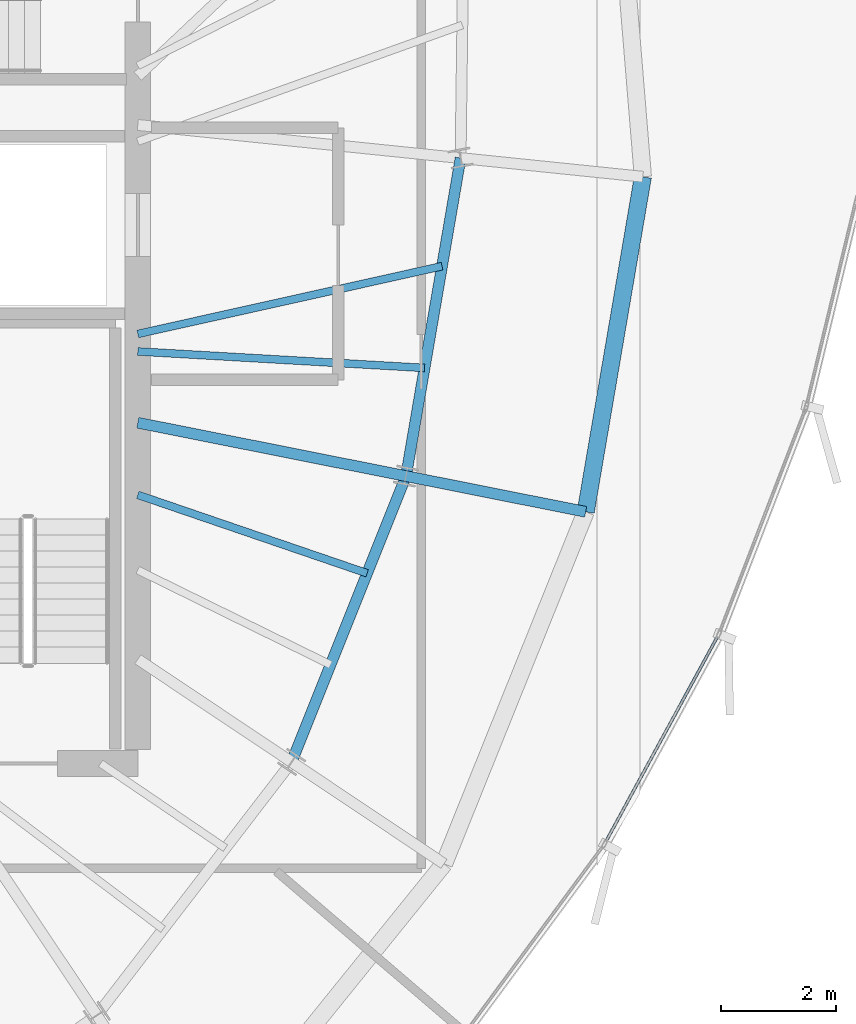
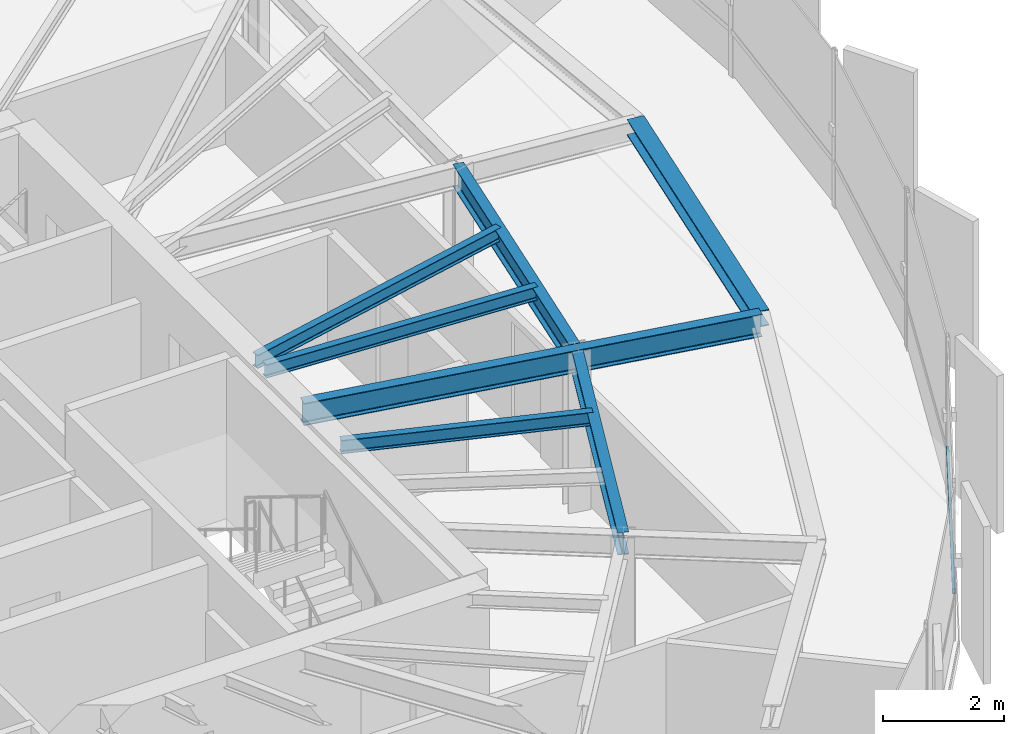
# One storey, part 14 of 33: 8 beams, 1 member, 1 element without a shape of its own.
"""IFC4 building model written with IfcOpenShell, lengths in metres."""

from ifc_helpers import new_model, si_unit, direction, frame, origin, origin_2d, place, context, subcontext, project, spatial, hollow_rectangle, i_section, extrude, source, transform, mapped, material, layer, layer_set, material_profile, profile_set, type_object, element, aggregate, save


model = new_model("IFC4")

# Units and contexts
model_context = context("Model", 3, precision=1e-05, world=origin(), true_north=direction((0.0, 1.0)))
body_context = subcontext(model_context, "Body", "Model", "MODEL_VIEW")
ifc_project = project(units=[si_unit("LENGTHUNIT", "METRE"), si_unit("AREAUNIT", "SQUARE_METRE"), si_unit("VOLUMEUNIT", "CUBIC_METRE"), si_unit("PLANEANGLEUNIT", "RADIAN"), si_unit("MASSUNIT", "GRAM", prefix="KILO"), si_unit("THERMODYNAMICTEMPERATUREUNIT", "KELVIN")], contexts=[model_context])

# Site, building, storey
site_placement = place(None, origin())
site = spatial("IfcSite", under=ifc_project, at=site_placement, CompositionType="ELEMENT")
building_placement = place(site_placement, origin())
building = spatial("IfcBuilding", under=site, at=building_placement, Name="Kethvar Cultural Tower", CompositionType="ELEMENT")
storey_placement = place(building_placement, frame((0.0, 0.0, 235.300048828125)))
storey = spatial("IfcBuildingStorey", under=building, at=storey_placement, Name="L61", CompositionType="ELEMENT", Elevation=235.300048828125)

# Beams
ifc_material_1 = material(Name="Steel S355J2", Category="steel")
ifc_material_profile_1 = material_profile(ifc_material_1, i_section(OverallWidth=0.18994140625, OverallDepth=0.449951171875, WebThickness=0.009521484375, FlangeThickness=0.0146484375, FilletRadius=0.02099609375, at=origin_2d()), Name="Steel S355J2 — IPE450")
ifc_profile_set_1 = profile_set([ifc_material_profile_1], Name="Steel S355J2 — IPE450")
beam_type_1 = type_object("IfcBeamType", Name="BM-IPE450", PredefinedType="BEAM", material=ifc_profile_set_1)
shared_shape_1 = source(origin(), body_context, "Body", "SweptSolid", [
    extrude(i_section(OverallWidth=0.18994140625, OverallDepth=0.449951171875, WebThickness=0.009521484375, FlangeThickness=0.0146484375, FilletRadius=0.02099609375, at=origin_2d()), origin(), (0.0, 0.0, 1.0), 3.199951171875),
])
beam_1_placement = place(storey_placement, frame((60.28369140625, 25.117919921875, 2.98291015625), z_axis=(0.980785550224, -0.195088965533, 0.0), x_axis=(0.195088965533, 0.980785550224, 0.0)))
element("IfcBeam", 1, at=beam_1_placement, inside=storey, type_object=beam_type_1, Name="L61 Perimeter Cantilever Beam RC-16", PredefinedType="BEAM", context=body_context, shape_type="MappedRepresentation", body=[
    mapped(shared_shape_1, transform((0.0, 0.0, 0.0), scale=1.0)),
])
shared_shape_2 = source(origin(), body_context, "Body", "SweptSolid", [
    extrude(i_section(OverallWidth=0.18994140625, OverallDepth=0.449951171875, WebThickness=0.009521484375, FlangeThickness=0.0146484375, FilletRadius=0.02099609375, at=origin_2d()), origin(), (0.0, 0.0, 1.0), 4.775390625),
])
beam_2_placement = place(storey_placement, frame((55.60009765625, 26.049560546875, 2.98291015625), z_axis=(0.980784643133, -0.195093525761, 0.0), x_axis=(0.195093525761, 0.980784643133, 0.0)))
element("IfcBeam", 2, at=beam_2_placement, inside=storey, type_object=beam_type_1, Name="L61 Primary Radial Beam RB-16", PredefinedType="BEAM", context=body_context, shape_type="MappedRepresentation", body=[
    mapped(shared_shape_2, transform((0.0, 0.0, 0.0), scale=1.0)),
])
shared_shape_3 = source(origin(), body_context, "Body", "SweptSolid", [
    extrude(i_section(OverallWidth=0.18994140625, OverallDepth=0.449951171875, WebThickness=0.009521484375, FlangeThickness=0.0146484375, FilletRadius=0.02099609375, at=origin_2d()), origin(), (0.0, 0.0, 1.0), 5.377685546875),
])
beam_3_placement = place(storey_placement, frame((58.287109375, 20.12451171875, 2.98291015625), z_axis=(0.371265436914, 0.928526776864, 0.0), x_axis=(-0.928526776864, 0.371265436914, 0.0)))
element("IfcBeam", 3, at=beam_3_placement, inside=storey, type_object=beam_type_1, Name="L61 Column Ring Tie Beam CR-15", PredefinedType="BEAM", context=body_context, shape_type="MappedRepresentation", body=[
    mapped(shared_shape_3, transform((0.0, 0.0, 0.0), scale=1.0)),
])
ifc_material_profile_2 = material_profile(ifc_material_1, i_section(OverallWidth=0.135009765625, OverallDepth=0.27001953125, WebThickness=0.006591796875, FlangeThickness=0.01025390625, FilletRadius=0.014892578125, at=origin_2d()), Name="Steel S355J2 — IPE270")
ifc_profile_set_2 = profile_set([ifc_material_profile_2], Name="Steel S355J2 — IPE270")
beam_type_2 = type_object("IfcBeamType", Name="BM-J270", PredefinedType="JOIST", material=ifc_profile_set_2)
shared_shape_4 = source(origin(), body_context, "Body", "SweptSolid", [
    extrude(i_section(OverallWidth=0.135009765625, OverallDepth=0.27001953125, WebThickness=0.006591796875, FlangeThickness=0.01025390625, FilletRadius=0.014892578125, at=origin_2d()), origin(), (0.0, 0.0, 1.0), 4.232421875),
])
beam_4_placement = place(storey_placement, frame((55.60009765625, 24.7900390625, 3.072998046875), z_axis=(0.946173747357, -0.323659141402, 0.0), x_axis=(0.323659141402, 0.946173747357, 0.0)))
element("IfcBeam", 4, at=beam_4_placement, inside=storey, type_object=beam_type_2, Name="L61 Composite Floor Joist J-15B", PredefinedType="JOIST", context=body_context, shape_type="MappedRepresentation", body=[
    mapped(shared_shape_4, transform((0.0, 0.0, 0.0), scale=1.0)),
])
shared_shape_5 = source(origin(), body_context, "Body", "SweptSolid", [
    extrude(i_section(OverallWidth=0.18994140625, OverallDepth=0.449951171875, WebThickness=0.009521484375, FlangeThickness=0.0146484375, FilletRadius=0.02099609375, at=origin_2d()), origin(), (0.0, 0.0, 1.0), 5.635009765625),
])
beam_5_placement = place(storey_placement, frame((60.28369140625, 25.117919921875, 2.98291015625), z_axis=(0.169188687614, 0.985583678834, 0.0), x_axis=(-0.985583678834, 0.169188687614, 0.0)))
element("IfcBeam", 5, at=beam_5_placement, inside=storey, type_object=beam_type_1, Name="L61 Column Ring Tie Beam CR-16", PredefinedType="BEAM", context=body_context, shape_type="MappedRepresentation", body=[
    mapped(shared_shape_5, transform((0.0, 0.0, 0.0), scale=1.0)),
])
ifc_material_profile_3 = material_profile(ifc_material_1, i_section(OverallWidth=0.300048828125, OverallDepth=0.320068359375, WebThickness=0.011474609375, FlangeThickness=0.0205078125, FilletRadius=0.027099609375, at=origin_2d()), Name="Steel S355J2 — HEB320")
ifc_profile_set_3 = profile_set([ifc_material_profile_3], Name="Steel S355J2 — HEB320")
beam_type_3 = type_object("IfcBeamType", Name="BM-SP320", PredefinedType="SPANDREL", material=ifc_profile_set_3)
shared_shape_6 = source(origin(), body_context, "Body", "SweptSolid", [
    extrude(i_section(OverallWidth=0.300048828125, OverallDepth=0.320068359375, WebThickness=0.011474609375, FlangeThickness=0.0205078125, FilletRadius=0.027099609375, at=origin_2d()), origin(), (0.0, 0.0, 1.0), 5.93603515625),
])
beam_6_placement = place(storey_placement, frame((63.422119140625, 24.49365234375, 3.0478515625), z_axis=(0.16817267321, 0.985757552335, 0.0), x_axis=(-0.985757552335, 0.16817267321, 0.0)))
element("IfcBeam", 6, at=beam_6_placement, inside=storey, type_object=beam_type_3, Name="L61 Perimeter Spandrel Beam SP-16", PredefinedType="SPANDREL", context=body_context, shape_type="MappedRepresentation", body=[
    mapped(shared_shape_6, transform((0.0, 0.0, 0.0), scale=1.0)),
])
shared_shape_7 = source(origin(), body_context, "Body", "SweptSolid", [
    extrude(i_section(OverallWidth=0.135009765625, OverallDepth=0.27001953125, WebThickness=0.006591796875, FlangeThickness=0.01025390625, FilletRadius=0.014892578125, at=origin_2d()), origin(), (0.0, 0.0, 1.0), 5.01611328125),
])
beam_7_placement = place(storey_placement, frame((55.60009765625, 27.294189453125, 3.072998046875), z_axis=(0.998352190078, -0.057383835418, 0.0), x_axis=(0.057383835418, 0.998352190078, 0.0)))
element("IfcBeam", 7, at=beam_7_placement, inside=storey, type_object=beam_type_2, Name="L61 Composite Floor Joist J-16A", PredefinedType="JOIST", context=body_context, shape_type="MappedRepresentation", body=[
    mapped(shared_shape_7, transform((0.0, 0.0, 0.0), scale=1.0)),
])
shared_shape_8 = source(origin(), body_context, "Body", "SweptSolid", [
    extrude(i_section(OverallWidth=0.135009765625, OverallDepth=0.27001953125, WebThickness=0.006591796875, FlangeThickness=0.01025390625, FilletRadius=0.014892578125, at=origin_2d()), origin(), (0.0, 0.0, 1.0), 5.44287109375),
])
beam_8_placement = place(storey_placement, frame((55.60009765625, 27.60009765625, 3.072998046875), z_axis=(0.976080346759, 0.217410111702, 0.0), x_axis=(-0.217410111702, 0.976080346759, 0.0)))
element("IfcBeam", 8, at=beam_8_placement, inside=storey, type_object=beam_type_2, Name="L61 Composite Floor Joist J-16B", PredefinedType="JOIST", context=body_context, shape_type="MappedRepresentation", body=[
    mapped(shared_shape_8, transform((0.0, 0.0, 0.0), scale=1.0)),
])

# Curtain wall, member
ifc_material_2 = material(Name="Aluminium 6063-T6", Category="aluminium")
ifc_layer = layer(ifc_material_2, 0.179931640625, Name="Aluminium 6063-T6", Category="aluminium")
ifc_layer_set = layer_set([ifc_layer], Name="Aluminium 6063-T6 (180 mm)")
curtain_wall_type = type_object("IfcCurtainWallType", Name="CW-SYS-05-Z56", PredefinedType="NOTDEFINED", material=ifc_layer_set)
curtain_wall_placement = place(storey_placement, origin())
curtain_wall = element("IfcCurtainWall", 9, at=curtain_wall_placement, inside=storey, type_object=curtain_wall_type, Name="L61 Curtain Wall Run 05", PredefinedType="NOTDEFINED")
ifc_material_profile_4 = material_profile(ifc_material_2, hollow_rectangle(XDim=0.050048828125, YDim=0.10009765625, WallThickness=0.00390625, at=origin_2d()), Name="Aluminium 6063-T6 — RHS100x50x4")
ifc_profile_set_4 = profile_set([ifc_material_profile_4], Name="Aluminium 6063-T6 — RHS100x50x4")
member_type = type_object("IfcMemberType", Name="CW-SYS-05-Z56-TRN", PredefinedType="USERDEFINED", material=ifc_profile_set_4)
shared_shape_9 = source(origin(), body_context, "Body", "SweptSolid", [
    extrude(hollow_rectangle(XDim=0.050048828125, YDim=0.10009765625, WallThickness=0.00390625, at=origin_2d()), origin(), (0.0, 0.0, 1.0), 4.10986328125),
])
member_placement = place(storey_placement, frame((63.7685546875, 18.724609375, 0.949951171875), z_axis=(0.478256851443, 0.878220008909, 0.0), x_axis=(-0.878220008909, 0.478256851443, 0.0)))
member = element("IfcMember", 10, at=member_placement, type_object=member_type, Name="CW-L61-R05 Transom 5", ObjectType="TRANSOM", PredefinedType="USERDEFINED", context=body_context, shape_type="MappedRepresentation", body=[
    mapped(shared_shape_9, transform((0.0, 0.0, 0.0), scale=1.0)),
])
aggregate(curtain_wall, [member])

save(model, "model.ifc")
